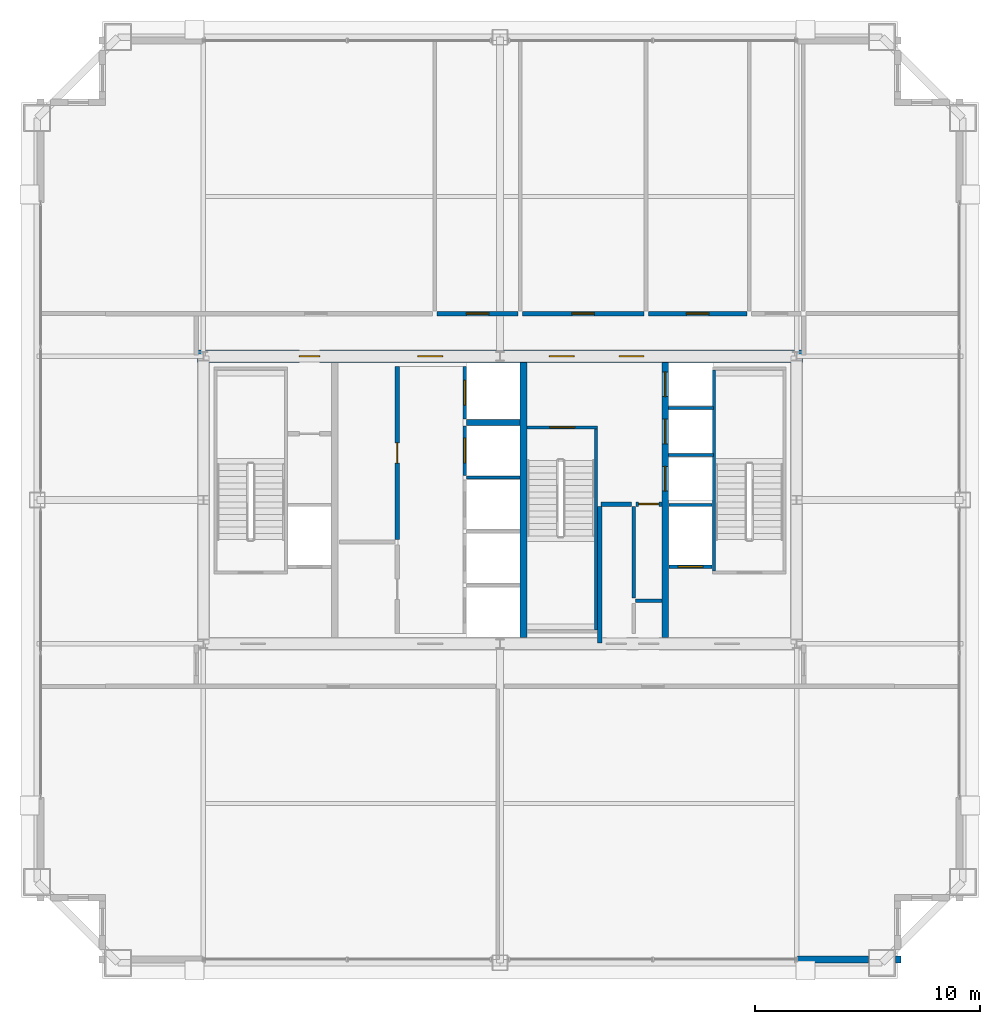
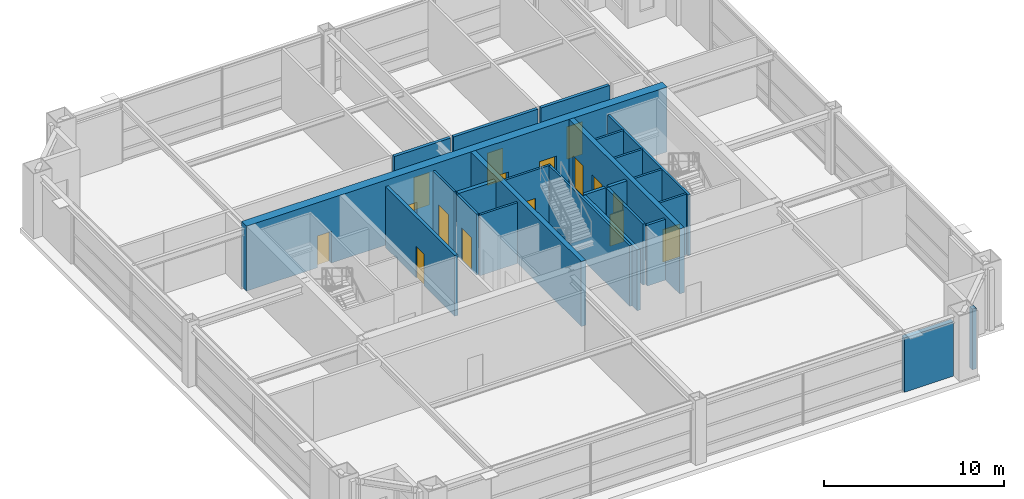
# One storey, part 24 of 26: 25 walls, 16 doors, 16 openings.
"""IFC4 building model written with IfcOpenShell, lengths in metres."""

from ifc_helpers import new_model, si_unit, direction, frame, frame_2d, origin, place, context, subcontext, project, spatial, rectangle, extrude, source, transform, mapped, material, layer, layer_set, type_object, element, fill, save


model = new_model("IFC4")

# Units and contexts
model_context = context("Model", 3, precision=1e-05, world=origin(), true_north=direction((0.0, 1.0)))
body_context = subcontext(model_context, "Body", "Model", "MODEL_VIEW")
ifc_project = project(units=[si_unit("LENGTHUNIT", "METRE"), si_unit("AREAUNIT", "SQUARE_METRE"), si_unit("VOLUMEUNIT", "CUBIC_METRE"), si_unit("PLANEANGLEUNIT", "RADIAN"), si_unit("MASSUNIT", "GRAM", prefix="KILO"), si_unit("THERMODYNAMICTEMPERATUREUNIT", "KELVIN"), si_unit("POWERUNIT", "WATT")], contexts=[model_context])

# Site, building, storey
site_placement = place(None, origin())
site = spatial("IfcSite", under=ifc_project, at=site_placement, CompositionType="ELEMENT")
building_placement = place(site_placement, origin())
building = spatial("IfcBuilding", under=site, at=building_placement, Name="Yuzanri Waterfront Tower", CompositionType="ELEMENT")
storey_placement = place(building_placement, frame((0.0, 0.0, 259.10009765625)))
storey = spatial("IfcBuildingStorey", under=building, at=storey_placement, Name="L69", CompositionType="ELEMENT", Elevation=259.10009765625)

# Wall, openings, doors
ifc_material_1 = material(Name="Concrete C50", Category="concrete")
ifc_layer_1 = layer(ifc_material_1, 0.300048828125)
ifc_layer_set_1 = layer_set([ifc_layer_1], Name="Concrete C50")
wall_type_1 = type_object("IfcWallType", Name="Concrete C50 Internal Core Shaft Structural Wall 300", PredefinedType="SOLIDWALL", material=ifc_layer_set_1)
wall_1_placement = place(storey_placement, frame((44.35009765625, 19.675048828125, 0.0), z_axis=(0.0, 0.0, 1.0), x_axis=(0.0, 1.0, 0.0)))
wall_1 = element("IfcWall", 1, at=wall_1_placement, inside=storey, type_object=wall_type_1, Name="L69 Core Internal Structural Web Wall 3", PredefinedType="SOLIDWALL", context=body_context, shape_type="SweptSolid", body=[
    extrude(rectangle(XDim=12.25, YDim=0.300048828125, at=frame_2d((6.125, 0.0))), origin(), (0.0, 0.0, 1.0), 4.39990234375),
])
opening_1_placement = place(wall_1_placement, frame((6.52490234375, 0.0, 0.0)))
opening_1 = element("IfcOpeningElement", 2, at=opening_1_placement, cuts=wall_1, Name="Opening LD-PL-09", PredefinedType="OPENING", context=body_context, shape_type="SweptSolid", body=[
    extrude(rectangle(XDim=1.10009765625, YDim=2.199951171875, at=frame_2d((0.550048828125, 1.10009765625))), frame((0.0, 0.1650390625, 0.0), z_axis=(0.0, -1.0, 0.0), x_axis=(1.0, 0.0, 0.0)), (0.0, 0.0, 1.0), 0.329833984375),
])
opening_2_placement = place(wall_1_placement, frame((8.625, 0.0, 0.0)))
opening_2 = element("IfcOpeningElement", 3, at=opening_2_placement, cuts=wall_1, Name="Opening LD-PL-10", PredefinedType="OPENING", context=body_context, shape_type="SweptSolid", body=[
    extrude(rectangle(XDim=1.10009765625, YDim=2.199951171875, at=frame_2d((0.550048828125, 1.10009765625))), frame((0.0, 0.1650390625, 0.0), z_axis=(0.0, -1.0, 0.0), x_axis=(1.0, 0.0, 0.0)), (0.0, 0.0, 1.0), 0.329833984375),
])
opening_3_placement = place(wall_1_placement, frame((10.72509765625, 0.0, 0.0)))
opening_3 = element("IfcOpeningElement", 4, at=opening_3_placement, cuts=wall_1, Name="Opening LD-PL-11", PredefinedType="OPENING", context=body_context, shape_type="SweptSolid", body=[
    extrude(rectangle(XDim=1.10009765625, YDim=2.199951171875, at=frame_2d((0.550048828125, 1.10009765625))), frame((0.0, 0.1650390625, 0.0), z_axis=(0.0, -1.0, 0.0), x_axis=(1.0, 0.0, 0.0)), (0.0, 0.0, 1.0), 0.329833984375),
])
ifc_material_2 = material(Name="Brushed Bronze and Stainless Steel Cab", Category="steel")
door_type_1 = type_object("IfcDoorType", Name="Center-Parting Bronze Lift Landing Sliding Door 1100x2200", OperationType="NOTDEFINED", PredefinedType="DOOR", material=ifc_material_2)
shared_shape_1 = source(origin(), body_context, "Body", "SweptSolid", [
    extrude(rectangle(XDim=1.10009765625, YDim=2.199951171875, at=frame_2d((0.550048828125, 1.10009765625))), frame((0.0, 0.02490234375, 0.0), z_axis=(0.0, -1.0, 0.0), x_axis=(1.0, 0.0, 0.0)), (0.0, 0.0, 1.0), 0.050048828125),
])
door_1_placement = place(opening_1_placement, origin())
door_1 = element("IfcDoor", 5, at=door_1_placement, inside=storey, type_object=door_type_1, Name="L69 PL-09 Lift Landing Sliding Door", OperationType="SLIDING_TO_LEFT", OverallHeight=2.199951171875, OverallWidth=1.10009765625, PredefinedType="DOOR", context=body_context, shape_type="MappedRepresentation", body=[
    mapped(shared_shape_1, transform((0.0, 0.0, 0.0), scale=1.0)),
])
fill(opening_1, door_1)
door_2_placement = place(opening_2_placement, origin())
door_2 = element("IfcDoor", 6, at=door_2_placement, inside=storey, type_object=door_type_1, Name="L69 PL-10 Lift Landing Sliding Door", OperationType="SLIDING_TO_RIGHT", OverallHeight=2.199951171875, OverallWidth=1.10009765625, PredefinedType="DOOR", context=body_context, shape_type="MappedRepresentation", body=[
    mapped(shared_shape_1, transform((0.0, 0.0, 0.0), scale=1.0)),
])
fill(opening_2, door_2)
door_3_placement = place(opening_3_placement, origin())
door_3 = element("IfcDoor", 7, at=door_3_placement, inside=storey, type_object=door_type_1, Name="L69 PL-11 Lift Landing Sliding Door", OperationType="SLIDING_TO_LEFT", OverallHeight=2.199951171875, OverallWidth=1.10009765625, PredefinedType="DOOR", context=body_context, shape_type="MappedRepresentation", body=[
    mapped(shared_shape_1, transform((0.0, 0.0, 0.0), scale=1.0)),
])
fill(opening_3, door_3)

ifc_material_3 = material(Name="Concrete C50", Category="concrete")
ifc_layer_2 = layer(ifc_material_3, 0.550048828125)
ifc_layer_set_2 = layer_set([ifc_layer_2], Name="Concrete C50")
wall_type_2 = type_object("IfcWallType", Name="Concrete C50 Upper-Mid Zone Core Shear Wall 550", PredefinedType="SHEAR", material=ifc_layer_set_2)
wall_2_placement = place(storey_placement, frame((23.52490234375, 32.199951171875, 0.0), z_axis=(0.0, 0.0, 1.0), x_axis=(1.0, 0.0, 0.0)))
wall_2 = element("IfcWall", 8, at=wall_2_placement, inside=storey, type_object=wall_type_2, Name="L69 Core North Shear Wall", PredefinedType="SHEAR", context=body_context, shape_type="SweptSolid", body=[
    extrude(rectangle(XDim=26.9501953125, YDim=0.550048828125, at=frame_2d((13.47509765625, 0.0))), origin(), (0.0, 0.0, 1.0), 4.39990234375),
])
opening_4_placement = place(wall_2_placement, frame((4.544921875, 0.0, 0.0)))
opening_4 = element("IfcOpeningElement", 9, at=opening_4_placement, cuts=wall_2, Name="Opening FD-0900", PredefinedType="OPENING", context=body_context, shape_type="SweptSolid", body=[
    extrude(rectangle(XDim=0.89990234375, YDim=2.14990234375, at=frame_2d((0.449951171875, 1.074951171875))), frame((0.0, 0.2900390625, 0.0), z_axis=(0.0, -1.0, 0.0), x_axis=(1.0, 0.0, 0.0)), (0.0, 0.0, 1.0), 0.579833984375),
])
opening_5_placement = place(wall_2_placement, frame((9.824951171875, 0.0, 0.0)))
opening_5 = element("IfcOpeningElement", 10, at=opening_5_placement, cuts=wall_2, Name="Opening FD-1100", PredefinedType="OPENING", context=body_context, shape_type="SweptSolid", body=[
    extrude(rectangle(XDim=1.10009765625, YDim=2.199951171875, at=frame_2d((0.550048828125, 1.10009765625))), frame((0.0, 0.2900390625, 0.0), z_axis=(0.0, -1.0, 0.0), x_axis=(1.0, 0.0, 0.0)), (0.0, 0.0, 1.0), 0.579833984375),
])
opening_6_placement = place(wall_2_placement, frame((15.675048828125, 0.0, 0.0)))
opening_6 = element("IfcOpeningElement", 11, at=opening_6_placement, cuts=wall_2, Name="Opening FD-1100", PredefinedType="OPENING", context=body_context, shape_type="SweptSolid", body=[
    extrude(rectangle(XDim=1.10009765625, YDim=2.199951171875, at=frame_2d((0.550048828125, 1.10009765625))), frame((0.0, 0.2900390625, 0.0), z_axis=(0.0, -1.0, 0.0), x_axis=(1.0, 0.0, 0.0)), (0.0, 0.0, 1.0), 0.579833984375),
])
opening_7_placement = place(wall_2_placement, frame((18.77490234375, 0.0, 0.0)))
opening_7 = element("IfcOpeningElement", 12, at=opening_7_placement, cuts=wall_2, Name="Opening FD-1100", PredefinedType="OPENING", context=body_context, shape_type="SweptSolid", body=[
    extrude(rectangle(XDim=1.10009765625, YDim=2.199951171875, at=frame_2d((0.550048828125, 1.10009765625))), frame((0.0, 0.2900390625, 0.0), z_axis=(0.0, -1.0, 0.0), x_axis=(1.0, 0.0, 0.0)), (0.0, 0.0, 1.0), 0.579833984375),
])
ifc_material_4 = material(Name="Painted Galvanized Fire Steel", Category="steel")
door_type_2 = type_object("IfcDoorType", Name="Smoke-Proof Stair and Lobby Fire Door 1100x2200", OperationType="NOTDEFINED", PredefinedType="DOOR", material=ifc_material_4)
shared_shape_2 = source(origin(), body_context, "Body", "SweptSolid", [
    extrude(rectangle(XDim=1.10009765625, YDim=2.199951171875, at=frame_2d((0.550048828125, 1.10009765625))), frame((0.0, 0.02490234375, 0.0), z_axis=(0.0, -1.0, 0.0), x_axis=(1.0, 0.0, 0.0)), (0.0, 0.0, 1.0), 0.050048828125),
])
door_4_placement = place(opening_5_placement, origin())
door_4 = element("IfcDoor", 13, at=door_4_placement, inside=storey, type_object=door_type_2, Name="L69 Central Lift Lobby North Door", OperationType="SINGLE_SWING_RIGHT", OverallHeight=2.199951171875, OverallWidth=1.10009765625, PredefinedType="DOOR", context=body_context, shape_type="MappedRepresentation", body=[
    mapped(shared_shape_2, transform((0.0, 0.0, 0.0), scale=1.0)),
])
fill(opening_5, door_4)
door_5_placement = place(opening_6_placement, origin())
door_5 = element("IfcDoor", 14, at=door_5_placement, inside=storey, type_object=door_type_2, Name="L69 North Stair Lobby Door", OperationType="SINGLE_SWING_LEFT", OverallHeight=2.199951171875, OverallWidth=1.10009765625, PredefinedType="DOOR", context=body_context, shape_type="MappedRepresentation", body=[
    mapped(shared_shape_2, transform((0.0, 0.0, 0.0), scale=1.0)),
])
fill(opening_6, door_5)
door_6_placement = place(opening_7_placement, origin())
door_6 = element("IfcDoor", 15, at=door_6_placement, inside=storey, type_object=door_type_2, Name="L69 High-Rise Lift Lobby North Door", OperationType="SINGLE_SWING_RIGHT", OverallHeight=2.199951171875, OverallWidth=1.10009765625, PredefinedType="DOOR", context=body_context, shape_type="MappedRepresentation", body=[
    mapped(shared_shape_2, transform((0.0, 0.0, 0.0), scale=1.0)),
])
fill(opening_7, door_6)
ifc_material_5 = material(Name="Painted Galvanized Fire Steel", Category="steel")
door_type_3 = type_object("IfcDoorType", Name="Riser and Service Room Fire Door 900x2150", OperationType="NOTDEFINED", PredefinedType="DOOR", material=ifc_material_5)
shared_shape_3 = source(origin(), body_context, "Body", "SweptSolid", [
    extrude(rectangle(XDim=0.89990234375, YDim=2.14990234375, at=frame_2d((0.449951171875, 1.074951171875))), frame((0.0, 0.02490234375, 0.0), z_axis=(0.0, -1.0, 0.0), x_axis=(1.0, 0.0, 0.0)), (0.0, 0.0, 1.0), 0.050048828125),
])
door_7_placement = place(opening_4_placement, origin())
door_7 = element("IfcDoor", 16, at=door_7_placement, inside=storey, type_object=door_type_3, Name="L69 Telecom Riser Door", OperationType="SINGLE_SWING_LEFT", OverallHeight=2.14990234375, OverallWidth=0.89990234375, PredefinedType="DOOR", context=body_context, shape_type="MappedRepresentation", body=[
    mapped(shared_shape_3, transform((0.0, 0.0, 0.0), scale=1.0)),
])
fill(opening_4, door_7)

# Wall, opening, door
ifc_material_6 = material(Name="Concrete C40", Category="concrete")
ifc_layer_3 = layer(ifc_material_6, 0.139892578125)
ifc_layer_set_3 = layer_set([ifc_layer_3], Name="Concrete C40")
wall_type_3 = type_object("IfcWallType", Name="Core Stair Liner and Hoistway Shaft Wall 140", PredefinedType="SOLIDWALL", material=ifc_layer_set_3)
wall_3_placement = place(storey_placement, frame((44.52001953125, 22.830078125, 0.0), z_axis=(0.0, 0.0, 1.0), x_axis=(1.0, 0.0, 0.0)))
wall_3 = element("IfcWall", 17, at=wall_3_placement, inside=storey, type_object=wall_type_3, Name="L69 Lift FL-02 Front Shaft Wall", PredefinedType="SOLIDWALL", context=body_context, shape_type="SweptSolid", body=[
    extrude(rectangle(XDim=1.919921875, YDim=0.139892578125, at=frame_2d((0.9599609375, 0.0))), origin(), (0.0, 0.0, 1.0), 4.119873046875),
])
opening_8_placement = place(wall_3_placement, frame((0.409912109375, 0.0, 0.0)))
opening_8 = element("IfcOpeningElement", 18, at=opening_8_placement, cuts=wall_3, Name="Opening LD-FL-02", PredefinedType="OPENING", context=body_context, shape_type="SweptSolid", body=[
    extrude(rectangle(XDim=1.10009765625, YDim=2.199951171875, at=frame_2d((0.550048828125, 1.10009765625))), frame((0.0, 0.0849609375, 0.0), z_axis=(0.0, -1.0, 0.0), x_axis=(1.0, 0.0, 0.0)), (0.0, 0.0, 1.0), 0.169677734375),
])
door_8_placement = place(opening_8_placement, origin())
door_8 = element("IfcDoor", 19, at=door_8_placement, inside=storey, type_object=door_type_1, Name="L69 FL-02 Lift Landing Sliding Door", OperationType="SLIDING_TO_RIGHT", OverallHeight=2.199951171875, OverallWidth=1.10009765625, PredefinedType="DOOR", context=body_context, shape_type="MappedRepresentation", body=[
    mapped(shared_shape_1, transform((0.0, 0.0, 0.0), scale=1.0)),
])
fill(opening_8, door_8)

wall_4_placement = place(storey_placement, frame((35.429931640625, 26.89990234375, 0.0), z_axis=(0.0, 0.0, 1.0), x_axis=(0.0, 1.0, 0.0)))
wall_4 = element("IfcWall", 20, at=wall_4_placement, inside=storey, type_object=wall_type_3, Name="L69 Lift PL-08 Front Shaft Wall", PredefinedType="SOLIDWALL", context=body_context, shape_type="SweptSolid", body=[
    extrude(rectangle(XDim=2.2001953125, YDim=0.139892578125, at=frame_2d((1.10009765625, 0.0))), origin(), (0.0, 0.0, 1.0), 4.119873046875),
])
opening_9_placement = place(wall_4_placement, frame((0.550048828125, 0.0, 0.0)))
opening_9 = element("IfcOpeningElement", 21, at=opening_9_placement, cuts=wall_4, Name="Opening LD-PL-08", PredefinedType="OPENING", context=body_context, shape_type="SweptSolid", body=[
    extrude(rectangle(XDim=1.10009765625, YDim=2.199951171875, at=frame_2d((0.550048828125, 1.10009765625))), frame((0.0, 0.0849609375, 0.0), z_axis=(0.0, -1.0, 0.0), x_axis=(1.0, 0.0, 0.0)), (0.0, 0.0, 1.0), 0.169677734375),
])
door_9_placement = place(opening_9_placement, origin())
door_9 = element("IfcDoor", 22, at=door_9_placement, inside=storey, type_object=door_type_1, Name="L69 PL-08 Lift Landing Sliding Door", OperationType="SLIDING_TO_LEFT", OverallHeight=2.199951171875, OverallWidth=1.10009765625, PredefinedType="DOOR", context=body_context, shape_type="MappedRepresentation", body=[
    mapped(shared_shape_1, transform((0.0, 0.0, 0.0), scale=1.0)),
])
fill(opening_9, door_9)

wall_5_placement = place(storey_placement, frame((35.429931640625, 29.39990234375, 0.0), z_axis=(0.0, 0.0, 1.0), x_axis=(0.0, 1.0, 0.0)))
wall_5 = element("IfcWall", 23, at=wall_5_placement, inside=storey, type_object=wall_type_3, Name="L69 Lift SL-02 Front Shaft Wall", PredefinedType="SOLIDWALL", context=body_context, shape_type="SweptSolid", body=[
    extrude(rectangle(XDim=2.340087890625, YDim=0.139892578125, at=frame_2d((1.169921875, 0.0))), origin(), (0.0, 0.0, 1.0), 4.119873046875),
])
opening_10_placement = place(wall_5_placement, frame((0.6201171875, 0.0, 0.0)))
opening_10 = element("IfcOpeningElement", 24, at=opening_10_placement, cuts=wall_5, Name="Opening LD-SL-02", PredefinedType="OPENING", context=body_context, shape_type="SweptSolid", body=[
    extrude(rectangle(XDim=1.10009765625, YDim=2.199951171875, at=frame_2d((0.550048828125, 1.10009765625))), frame((0.0, 0.0849609375, 0.0), z_axis=(0.0, -1.0, 0.0), x_axis=(1.0, 0.0, 0.0)), (0.0, 0.0, 1.0), 0.169677734375),
])
door_10_placement = place(opening_10_placement, origin())
door_10 = element("IfcDoor", 25, at=door_10_placement, inside=storey, type_object=door_type_1, Name="L69 SL-02 Lift Landing Sliding Door", OperationType="SLIDING_TO_RIGHT", OverallHeight=2.199951171875, OverallWidth=1.10009765625, PredefinedType="DOOR", context=body_context, shape_type="MappedRepresentation", body=[
    mapped(shared_shape_1, transform((0.0, 0.0, 0.0), scale=1.0)),
])
fill(opening_10, door_10)

wall_6_placement = place(storey_placement, frame((38.199951171875, 29.030029296875, 0.0), z_axis=(0.0, 0.0, 1.0), x_axis=(1.0, 0.0, 0.0)))
wall_6 = element("IfcWall", 26, at=wall_6_placement, inside=storey, type_object=wall_type_3, Name="L69 Shaft Wall STW-L69-ST-03-N", PredefinedType="SOLIDWALL", context=body_context, shape_type="SweptSolid", body=[
    extrude(rectangle(XDim=3.14013671875, YDim=0.139892578125, at=frame_2d((1.570068359375, 0.0))), origin(), (0.0, 0.0, 1.0), 4.119873046875),
])
opening_11_placement = place(wall_6_placement, frame((1.02001953125, 0.0, 0.0)))
opening_11 = element("IfcOpeningElement", 27, at=opening_11_placement, cuts=wall_6, Name="Opening FD-1100", PredefinedType="OPENING", context=body_context, shape_type="SweptSolid", body=[
    extrude(rectangle(XDim=1.10009765625, YDim=2.199951171875, at=frame_2d((0.550048828125, 1.10009765625))), frame((0.0, 0.0849609375, 0.0), z_axis=(0.0, -1.0, 0.0), x_axis=(1.0, 0.0, 0.0)), (0.0, 0.0, 1.0), 0.169677734375),
])
door_11_placement = place(opening_11_placement, origin())
door_11 = element("IfcDoor", 28, at=door_11_placement, inside=storey, type_object=door_type_2, Name="L69 Stair ST-03 Fire Door", OperationType="SINGLE_SWING_LEFT", OverallHeight=2.199951171875, OverallWidth=1.10009765625, PredefinedType="DOOR", context=body_context, shape_type="MappedRepresentation", body=[
    mapped(shared_shape_2, transform((0.0, 0.0, 0.0), scale=1.0)),
])
fill(opening_11, door_11)

ifc_material_7 = material(Name="Autoclaved Aerated Concrete Blockwork", Category="masonry")
ifc_layer_4 = layer(ifc_material_7, 0.199951171875)
ifc_layer_set_4 = layer_set([ifc_layer_4], Name="Autoclaved Aerated Concrete Blockwork")
wall_type_4 = type_object("IfcWallType", Name="Corridor and Unit Party Fire Wall 200", PredefinedType="PARTITIONING", material=ifc_layer_set_4)
wall_7_placement = place(storey_placement, frame((32.419921875, 24.050048828125, 0.0), z_axis=(0.0, 0.0, 1.0), x_axis=(0.0, 1.0, 0.0)))
wall_7 = element("IfcWall", 29, at=wall_7_placement, inside=storey, type_object=wall_type_4, Name="L69 Partition CRW-L69-B1R-2", PredefinedType="PARTITIONING", context=body_context, shape_type="SweptSolid", body=[
    extrude(rectangle(XDim=7.68994140625, YDim=0.199951171875, at=frame_2d((3.844970703125, 0.0))), origin(), (0.0, 0.0, 1.0), 4.119873046875),
])
opening_12_placement = place(wall_7_placement, frame((3.39501953125, 0.0, 0.0)))
opening_12 = element("IfcOpeningElement", 30, at=opening_12_placement, cuts=wall_7, Name="Opening FD-0900", PredefinedType="OPENING", context=body_context, shape_type="SweptSolid", body=[
    extrude(rectangle(XDim=0.89990234375, YDim=2.14990234375, at=frame_2d((0.449951171875, 1.074951171875))), frame((0.0, 0.11474609375, 0.0), z_axis=(0.0, -1.0, 0.0), x_axis=(1.0, 0.0, 0.0)), (0.0, 0.0, 1.0), 0.229736328125),
])
door_12_placement = place(opening_12_placement, origin())
door_12 = element("IfcDoor", 31, at=door_12_placement, inside=storey, type_object=door_type_3, Name="L69 Common Store Room", OperationType="SINGLE_SWING_LEFT", OverallHeight=2.14990234375, OverallWidth=0.89990234375, PredefinedType="DOOR", context=body_context, shape_type="MappedRepresentation", body=[
    mapped(shared_shape_3, transform((0.0, 0.0, 0.0), scale=1.0)),
])
fill(opening_12, door_12)

wall_8_placement = place(storey_placement, frame((43.050048828125, 25.6201171875, 0.0), z_axis=(0.0, 0.0, 1.0), x_axis=(1.0, 0.0, 0.0)))
wall_8 = element("IfcWall", 32, at=wall_8_placement, inside=storey, type_object=wall_type_4, Name="L69 Partition CRW-L69-BOHH-2", PredefinedType="PARTITIONING", context=body_context, shape_type="SweptSolid", body=[
    extrude(rectangle(XDim=1.14990234375, YDim=0.199951171875, at=frame_2d((0.574951171875, 0.0))), origin(), (0.0, 0.0, 1.0), 4.119873046875),
])
opening_13_placement = place(wall_8_placement, frame((0.1201171875, 0.0, 0.0)))
opening_13 = element("IfcOpeningElement", 33, at=opening_13_placement, cuts=wall_8, Name="Opening FD-0900", PredefinedType="OPENING", context=body_context, shape_type="SweptSolid", body=[
    extrude(rectangle(XDim=0.89990234375, YDim=2.14990234375, at=frame_2d((0.449951171875, 1.074951171875))), frame((0.0, 0.11474609375, 0.0), z_axis=(0.0, -1.0, 0.0), x_axis=(1.0, 0.0, 0.0)), (0.0, 0.0, 1.0), 0.229736328125),
])
door_13_placement = place(opening_13_placement, origin())
door_13 = element("IfcDoor", 34, at=door_13_placement, inside=storey, type_object=door_type_3, Name="L69 Linen Store Room", OperationType="SINGLE_SWING_RIGHT", OverallHeight=2.14990234375, OverallWidth=0.89990234375, PredefinedType="DOOR", context=body_context, shape_type="MappedRepresentation", body=[
    mapped(shared_shape_3, transform((0.0, 0.0, 0.0), scale=1.0)),
])
fill(opening_13, door_13)

wall_9_placement = place(storey_placement, frame((34.199951171875, 34.10009765625, 0.0), z_axis=(0.0, 0.0, 1.0), x_axis=(1.0, 0.0, 0.0)))
wall_9 = element("IfcWall", 35, at=wall_9_placement, inside=storey, type_object=wall_type_4, Name="L69 Partition SLW-L69-023-S", PredefinedType="PARTITIONING", context=body_context, shape_type="SweptSolid", body=[
    extrude(rectangle(XDim=3.60009765625, YDim=0.199951171875, at=frame_2d((1.800048828125, 0.0))), origin(), (0.0, 0.0, 1.0), 4.119873046875),
])
opening_14_placement = place(wall_9_placement, frame((1.300048828125, 0.0, 0.0)))
opening_14 = element("IfcOpeningElement", 36, at=opening_14_placement, cuts=wall_9, Name="Opening FD-1000", PredefinedType="OPENING", context=body_context, shape_type="SweptSolid", body=[
    extrude(rectangle(XDim=1.0, YDim=2.199951171875, at=frame_2d((0.5, 1.10009765625))), frame((0.0, 0.11474609375, 0.0), z_axis=(0.0, -1.0, 0.0), x_axis=(1.0, 0.0, 0.0)), (0.0, 0.0, 1.0), 0.229736328125),
])
ifc_material_8 = material(Name="Engineered Oak Fire-Rated Timber", Category="wood")
door_type_4 = type_object("IfcDoorType", Name="Guestroom and Apartment Entrance Fire Door 1000x2200", OperationType="NOTDEFINED", PredefinedType="DOOR", material=ifc_material_8)
shared_shape_4 = source(origin(), body_context, "Body", "SweptSolid", [
    extrude(rectangle(XDim=1.0, YDim=2.199951171875, at=frame_2d((0.5, 1.10009765625))), frame((0.0, 0.02490234375, 0.0), z_axis=(0.0, -1.0, 0.0), x_axis=(1.0, 0.0, 0.0)), (0.0, 0.0, 1.0), 0.050048828125),
])
door_14_placement = place(opening_14_placement, origin())
door_14 = element("IfcDoor", 37, at=door_14_placement, inside=storey, type_object=door_type_4, Name="L69 Residents Catering Kitchen", OperationType="SINGLE_SWING_RIGHT", OverallHeight=2.199951171875, OverallWidth=1.0, PredefinedType="DOOR", context=body_context, shape_type="MappedRepresentation", body=[
    mapped(shared_shape_4, transform((0.0, 0.0, 0.0), scale=1.0)),
])
fill(opening_14, door_14)

wall_10_placement = place(storey_placement, frame((38.0, 34.10009765625, 0.0), z_axis=(0.0, 0.0, 1.0), x_axis=(1.0, 0.0, 0.0)))
wall_10 = element("IfcWall", 38, at=wall_10_placement, inside=storey, type_object=wall_type_4, Name="L69 Partition SLW-L69-024-S", PredefinedType="PARTITIONING", context=body_context, shape_type="SweptSolid", body=[
    extrude(rectangle(XDim=5.39990234375, YDim=0.199951171875, at=frame_2d((2.699951171875, 0.0))), origin(), (0.0, 0.0, 1.0), 4.119873046875),
])
opening_15_placement = place(wall_10_placement, frame((2.199951171875, 0.0, 0.0)))
opening_15 = element("IfcOpeningElement", 39, at=opening_15_placement, cuts=wall_10, Name="Opening FD-1000", PredefinedType="OPENING", context=body_context, shape_type="SweptSolid", body=[
    extrude(rectangle(XDim=1.0, YDim=2.199951171875, at=frame_2d((0.5, 1.10009765625))), frame((0.0, 0.11474609375, 0.0), z_axis=(0.0, -1.0, 0.0), x_axis=(1.0, 0.0, 0.0)), (0.0, 0.0, 1.0), 0.229736328125),
])
door_15_placement = place(opening_15_placement, origin())
door_15 = element("IfcDoor", 40, at=door_15_placement, inside=storey, type_object=door_type_4, Name="L69 Residents Games Club Room", OperationType="SINGLE_SWING_LEFT", OverallHeight=2.199951171875, OverallWidth=1.0, PredefinedType="DOOR", context=body_context, shape_type="MappedRepresentation", body=[
    mapped(shared_shape_4, transform((0.0, 0.0, 0.0), scale=1.0)),
])
fill(opening_15, door_15)

wall_11_placement = place(storey_placement, frame((43.60009765625, 34.10009765625, 0.0), z_axis=(0.0, 0.0, 1.0), x_axis=(1.0, 0.0, 0.0)))
wall_11 = element("IfcWall", 41, at=wall_11_placement, inside=storey, type_object=wall_type_4, Name="L69 Partition SLW-L69-025-S", PredefinedType="PARTITIONING", context=body_context, shape_type="SweptSolid", body=[
    extrude(rectangle(XDim=4.39990234375, YDim=0.199951171875, at=frame_2d((2.199951171875, 0.0))), origin(), (0.0, 0.0, 1.0), 4.119873046875),
])
opening_16_placement = place(wall_11_placement, frame((1.699951171875, 0.0, 0.0)))
opening_16 = element("IfcOpeningElement", 42, at=opening_16_placement, cuts=wall_11, Name="Opening FD-1000", PredefinedType="OPENING", context=body_context, shape_type="SweptSolid", body=[
    extrude(rectangle(XDim=1.0, YDim=2.199951171875, at=frame_2d((0.5, 1.10009765625))), frame((0.0, 0.11474609375, 0.0), z_axis=(0.0, -1.0, 0.0), x_axis=(1.0, 0.0, 0.0)), (0.0, 0.0, 1.0), 0.229736328125),
])
door_16_placement = place(opening_16_placement, origin())
door_16 = element("IfcDoor", 43, at=door_16_placement, inside=storey, type_object=door_type_4, Name="L69 Public Restroom", OperationType="SINGLE_SWING_RIGHT", OverallHeight=2.199951171875, OverallWidth=1.0, PredefinedType="DOOR", context=body_context, shape_type="MappedRepresentation", body=[
    mapped(shared_shape_4, transform((0.0, 0.0, 0.0), scale=1.0)),
])
fill(opening_16, door_16)

# Walls
shared_shape_5 = source(origin(), body_context, "Body", "SweptSolid", [
    extrude(rectangle(XDim=12.25, YDim=0.300048828125, at=frame_2d((6.125, 0.0))), origin(), (0.0, 0.0, 1.0), 4.39990234375),
])
wall_12_placement = place(storey_placement, frame((38.050048828125, 19.675048828125, 0.0), z_axis=(0.0, 0.0, 1.0), x_axis=(0.0, 1.0, 0.0)))
element("IfcWall", 44, at=wall_12_placement, inside=storey, type_object=wall_type_1, Name="L69 Core Internal Structural Web Wall 2", PredefinedType="SOLIDWALL", context=body_context, shape_type="MappedRepresentation", body=[
    mapped(shared_shape_5, transform((0.0, 0.0, 0.0), scale=1.0)),
])
ifc_material_9 = material(Name="Honed Chongqing Dark Basalt Stone", Category="masonry")
ifc_layer_5 = layer(ifc_material_9, 0.300048828125)
ifc_layer_set_5 = layer_set([ifc_layer_5], Name="Honed Chongqing Dark Basalt Stone")
wall_type_5 = type_object("IfcWallType", Name="Bronze Rainscreen Insulated Spandrel Portal Wall 300", PredefinedType="SOLIDWALL", material=ifc_layer_set_5)
shared_shape_6 = source(origin(), body_context, "Body", "SweptSolid", [
    extrude(rectangle(XDim=0.25, YDim=0.300048828125, at=frame_2d((0.125, 0.0))), origin(), (0.0, 0.0, 1.0), 4.119873046875),
])
wall_13_placement = place(storey_placement, frame((54.60009765625, 5.35009765625, 0.0), z_axis=(0.0, 0.0, 1.0), x_axis=(1.0, 0.0, 0.0)))
element("IfcWall", 45, at=wall_13_placement, inside=storey, type_object=wall_type_5, Name="L69 Corner Column Shoulder Return CSE", PredefinedType="SOLIDWALL", context=body_context, shape_type="MappedRepresentation", body=[
    mapped(shared_shape_6, transform((0.0, 0.0, 0.0), scale=1.0)),
])
shared_shape_7 = source(origin(), body_context, "Body", "SweptSolid", [
    extrude(rectangle(XDim=3.14990234375, YDim=0.300048828125, at=frame_2d((1.574951171875, 0.0))), origin(), (0.0, 0.0, 1.0), 3.6748046875),
])
wall_14_placement = place(storey_placement, frame((50.25, 5.35009765625, 0.0), z_axis=(0.0, 0.0, 1.0), x_axis=(1.0, 0.0, 0.0)))
element("IfcWall", 46, at=wall_14_placement, inside=storey, type_object=wall_type_5, Name="L69 S Right Braced Masonry Shoulder", PredefinedType="SOLIDWALL", context=body_context, shape_type="MappedRepresentation", body=[
    mapped(shared_shape_7, transform((0.0, 0.0, 0.0), scale=1.0)),
])
shared_shape_8 = source(origin(), body_context, "Body", "SweptSolid", [
    extrude(rectangle(XDim=1.919921875, YDim=0.139892578125, at=frame_2d((0.9599609375, 0.0))), origin(), (0.0, 0.0, 1.0), 4.119873046875),
])
wall_15_placement = place(storey_placement, frame((44.52001953125, 25.570068359375, 0.0), z_axis=(0.0, 0.0, 1.0), x_axis=(1.0, 0.0, 0.0)))
element("IfcWall", 47, at=wall_15_placement, inside=storey, type_object=wall_type_3, Name="L69 Lift FL-02 Back Shaft Wall", PredefinedType="SOLIDWALL", context=body_context, shape_type="MappedRepresentation", body=[
    mapped(shared_shape_8, transform((0.0, 0.0, 0.0), scale=1.0)),
])
shared_shape_9 = source(origin(), body_context, "Body", "SweptSolid", [
    extrude(rectangle(XDim=2.39990234375, YDim=0.139892578125, at=frame_2d((1.199951171875, 0.0))), origin(), (0.0, 0.0, 1.0), 4.119873046875),
])
wall_16_placement = place(storey_placement, frame((35.5, 26.800048828125, 0.0), z_axis=(0.0, 0.0, 1.0), x_axis=(1.0, 0.0, 0.0)))
element("IfcWall", 48, at=wall_16_placement, inside=storey, type_object=wall_type_3, Name="L69 Lift PL-07 Divider Wall", PredefinedType="SOLIDWALL", context=body_context, shape_type="MappedRepresentation", body=[
    mapped(shared_shape_9, transform((0.0, 0.0, 0.0), scale=1.0)),
])
ifc_material_10 = material(Name="Concrete C40", Category="concrete")
ifc_layer_6 = layer(ifc_material_10, 0.25)
ifc_layer_set_6 = layer_set([ifc_layer_6], Name="Concrete C40")
wall_type_6 = type_object("IfcWallType", Name="Smoke-Proof Stair and Lift Shaft Wall 250", PredefinedType="SOLIDWALL", material=ifc_layer_set_6)
shared_shape_10 = source(origin(), body_context, "Body", "SweptSolid", [
    extrude(rectangle(XDim=2.39990234375, YDim=0.25, at=frame_2d((1.199951171875, 0.0))), origin(), (0.0, 0.0, 1.0), 4.119873046875),
])
wall_17_placement = place(storey_placement, frame((35.5, 29.25, 0.0), z_axis=(0.0, 0.0, 1.0), x_axis=(1.0, 0.0, 0.0)))
element("IfcWall", 49, at=wall_17_placement, inside=storey, type_object=wall_type_6, Name="L69 Lift SL-02 South Shaft Wall", PredefinedType="SOLIDWALL", context=body_context, shape_type="MappedRepresentation", body=[
    mapped(shared_shape_10, transform((0.0, 0.0, 0.0), scale=1.0)),
])
shared_shape_11 = source(origin(), body_context, "Body", "SweptSolid", [
    extrude(rectangle(XDim=2.0, YDim=0.139892578125, at=frame_2d((1.0, 0.0))), origin(), (0.0, 0.0, 1.0), 4.119873046875),
])
for number, where, z_axis, x_axis, name in (
    (50, (44.5, 27.800048828125, 0.0), (0.0, 0.0, 1.0), (1.0, 0.0, 0.0), "L69 Lift PL-09 Divider Wall"),
    (51, (44.5, 29.89990234375, 0.0), (0.0, 0.0, 1.0), (1.0, 0.0, 0.0), "L69 Lift PL-10 Divider Wall"),
):
    element("IfcWall", number, at=place(storey_placement, frame(where, z_axis=z_axis, x_axis=x_axis)), inside=storey, type_object=wall_type_3, Name=name, PredefinedType="SOLIDWALL", context=body_context, shape_type="MappedRepresentation", body=[
        mapped(shared_shape_11, transform((0.0, 0.0, 0.0), scale=1.0)),
    ])
shared_shape_12 = source(origin(), body_context, "Body", "SweptSolid", [
    extrude(rectangle(XDim=8.940185546875, YDim=0.139892578125, at=frame_2d((4.47021484375, 0.0))), origin(), (0.0, 0.0, 1.0), 4.119873046875),
])
wall_18_placement = place(storey_placement, frame((46.530029296875, 22.639892578125, 0.0), z_axis=(0.0, 0.0, 1.0), x_axis=(0.0, 1.0, 0.0)))
element("IfcWall", 52, at=wall_18_placement, inside=storey, type_object=wall_type_3, Name="L69 Stair ST-02 West Shaft Wall", PredefinedType="SOLIDWALL", context=body_context, shape_type="MappedRepresentation", body=[
    mapped(shared_shape_12, transform((0.0, 0.0, 0.0), scale=1.0)),
])
shared_shape_13 = source(origin(), body_context, "Body", "SweptSolid", [
    extrude(rectangle(XDim=8.93994140625, YDim=0.139892578125, at=frame_2d((4.469970703125, 0.0))), origin(), (0.0, 0.0, 1.0), 4.119873046875),
])
wall_19_placement = place(storey_placement, frame((41.27001953125, 20.02001953125, 0.0), z_axis=(0.0, 0.0, 1.0), x_axis=(0.0, 1.0, 0.0)))
element("IfcWall", 53, at=wall_19_placement, inside=storey, type_object=wall_type_3, Name="L69 Stair ST-03 East Shaft Wall", PredefinedType="SOLIDWALL", context=body_context, shape_type="MappedRepresentation", body=[
    mapped(shared_shape_13, transform((0.0, 0.0, 0.0), scale=1.0)),
])
ifc_material_11 = material(Name="Gypsum Fireboard Acoustic Stud Wall", Category="gypsum")
ifc_layer_7 = layer(ifc_material_11, 0.159912109375)
ifc_layer_set_7 = layer_set([ifc_layer_7], Name="Gypsum Fireboard Acoustic Stud Wall")
wall_type_7 = type_object("IfcWallType", Name="Acoustic Suite Demising Partition 160", PredefinedType="PARTITIONING", material=ifc_layer_set_7)
shared_shape_14 = source(origin(), body_context, "Body", "SweptSolid", [
    extrude(rectangle(XDim=1.169921875, YDim=0.159912109375, at=frame_2d((0.5849609375, 0.0))), origin(), (0.0, 0.0, 1.0), 4.119873046875),
])
wall_20_placement = place(storey_placement, frame((43.030029296875, 21.320068359375, 0.0), z_axis=(0.0, 0.0, 1.0), x_axis=(1.0, 0.0, 0.0)))
element("IfcWall", 54, at=wall_20_placement, inside=storey, type_object=wall_type_7, Name="L69 East Wet Riser North Wall", PredefinedType="PARTITIONING", context=body_context, shape_type="MappedRepresentation", body=[
    mapped(shared_shape_14, transform((0.0, 0.0, 0.0), scale=1.0)),
])
shared_shape_15 = source(origin(), body_context, "Body", "SweptSolid", [
    extrude(rectangle(XDim=6.06005859375, YDim=0.199951171875, at=frame_2d((3.030029296875, 0.0))), origin(), (0.0, 0.0, 1.0), 4.119873046875),
])
wall_21_placement = place(storey_placement, frame((41.449951171875, 19.43994140625, 0.0), z_axis=(0.0, 0.0, 1.0), x_axis=(0.0, 1.0, 0.0)))
element("IfcWall", 55, at=wall_21_placement, inside=storey, type_object=wall_type_4, Name="L69 Core BOH West Wall 1", PredefinedType="PARTITIONING", context=body_context, shape_type="MappedRepresentation", body=[
    mapped(shared_shape_15, transform((0.0, 0.0, 0.0), scale=1.0)),
])
shared_shape_16 = source(origin(), body_context, "Body", "SweptSolid", [
    extrude(rectangle(XDim=1.35009765625, YDim=0.199951171875, at=frame_2d((0.675048828125, 0.0))), origin(), (0.0, 0.0, 1.0), 4.119873046875),
])
wall_22_placement = place(storey_placement, frame((41.5, 25.6201171875, 0.0), z_axis=(0.0, 0.0, 1.0), x_axis=(1.0, 0.0, 0.0)))
element("IfcWall", 56, at=wall_22_placement, inside=storey, type_object=wall_type_4, Name="L69 Core BOH Split Wall 1", PredefinedType="PARTITIONING", context=body_context, shape_type="MappedRepresentation", body=[
    mapped(shared_shape_16, transform((0.0, 0.0, 0.0), scale=1.0)),
])
shared_shape_17 = source(origin(), body_context, "Body", "SweptSolid", [
    extrude(rectangle(XDim=4.06005859375, YDim=0.159912109375, at=frame_2d((2.030029296875, 0.0))), origin(), (0.0, 0.0, 1.0), 4.119873046875),
])
wall_23_placement = place(storey_placement, frame((42.949951171875, 21.43994140625, 0.0), z_axis=(0.0, 0.0, 1.0), x_axis=(0.0, 1.0, 0.0)))
element("IfcWall", 57, at=wall_23_placement, inside=storey, type_object=wall_type_7, Name="L69 Core BOH Mid Wall 2", PredefinedType="PARTITIONING", context=body_context, shape_type="MappedRepresentation", body=[
    mapped(shared_shape_17, transform((0.0, 0.0, 0.0), scale=1.0)),
])

save(model, "model.ifc")
